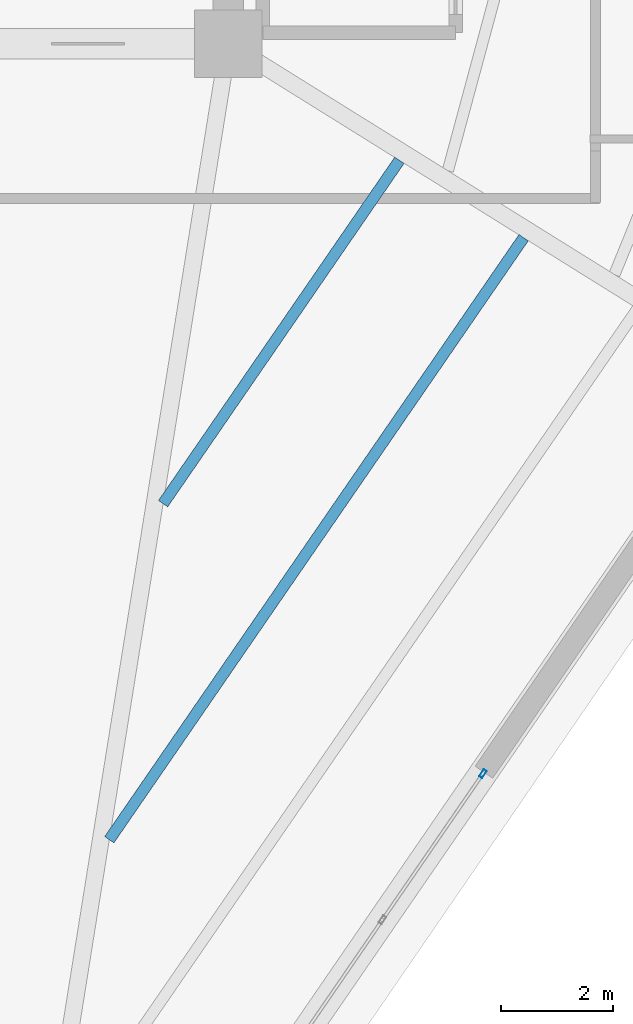
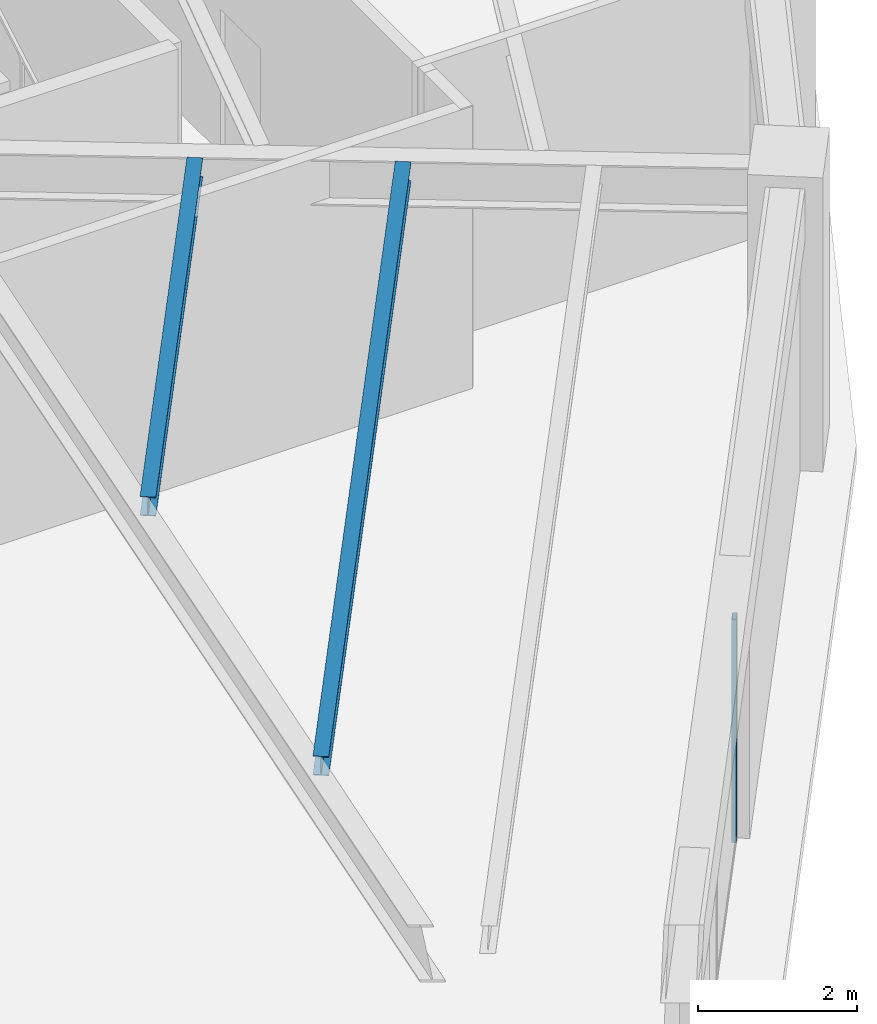
# One storey, part 12 of 35: 2 beams, 1 member, 1 element without a shape of its own.
"""IFC4 building model written with IfcOpenShell, lengths in metres."""

from ifc_helpers import new_model, si_unit, direction, frame, origin, origin_2d, place, context, subcontext, project, spatial, hollow_rectangle, i_section, extrude, source, transform, mapped, material, layer, layer_set, material_profile, profile_set, type_object, element, aggregate, save


model = new_model("IFC4")

# Units and contexts
model_context = context("Model", 3, precision=1e-05, world=origin(), true_north=direction((0.0, 1.0)))
body_context = subcontext(model_context, "Body", "Model", "MODEL_VIEW")
ifc_project = project(units=[si_unit("LENGTHUNIT", "METRE"), si_unit("AREAUNIT", "SQUARE_METRE"), si_unit("VOLUMEUNIT", "CUBIC_METRE"), si_unit("PLANEANGLEUNIT", "RADIAN"), si_unit("MASSUNIT", "GRAM", prefix="KILO")], contexts=[model_context])

# Site, building, storey
site_placement = place(None, origin())
site = spatial("IfcSite", under=ifc_project, at=site_placement, CompositionType="ELEMENT")
building_placement = place(site_placement, origin())
building = spatial("IfcBuilding", under=site, at=building_placement, Name="Liaohun Quay Tower", CompositionType="ELEMENT")
storey_placement = place(building_placement, frame((0.0, 0.0, 282.0)))
storey = spatial("IfcBuildingStorey", under=building, at=storey_placement, Name="L73", CompositionType="ELEMENT", Elevation=282.0)

# Beams
ifc_material_1 = material(Name="Steel Q355D", Category="steel")
ifc_material_profile_1 = material_profile(ifc_material_1, i_section(OverallWidth=0.199951171875, OverallDepth=0.2939453125, WebThickness=0.008056640625, FlangeThickness=0.011962890625, at=origin_2d()), Name="HM294x200x8x12")
ifc_profile_set_1 = profile_set([ifc_material_profile_1], Name="Steel Q355D")
beam_type = type_object("IfcBeamType", Name="BM-SEC-J4", PredefinedType="JOIST", material=ifc_profile_set_1)
shared_shape_1 = source(origin(), body_context, "Body", "SweptSolid", [
    extrude(i_section(OverallWidth=0.199951171875, OverallDepth=0.2939453125, WebThickness=0.008056640625, FlangeThickness=0.011962890625, at=origin_2d()), origin(), (0.0, 0.0, 1.0), 7.44140625),
])
beam_1_placement = place(storey_placement, frame((72.056884765625, 44.4189453125, 4.173095703125), z_axis=(-0.566957601742, -0.823746974396, 0.0), x_axis=(0.823746974396, -0.566957601742, 0.0)))
element("IfcBeam", 1, at=beam_1_placement, inside=storey, type_object=beam_type, Name="L73 Wing Secondary Floor Joist SJ-12", PredefinedType="JOIST", context=body_context, shape_type="MappedRepresentation", body=[
    mapped(shared_shape_1, transform((0.0, 0.0, 0.0), x_axis=(1.0, 0.0, 0.0), y_axis=(0.0, 1.0, 0.0), z_axis=(0.0, 0.0, 1.0), scale=1.0)),
])
shared_shape_2 = source(origin(), body_context, "Body", "SweptSolid", [
    extrude(i_section(OverallWidth=0.199951171875, OverallDepth=0.2939453125, WebThickness=0.008056640625, FlangeThickness=0.011962890625, at=origin_2d()), origin(), (0.0, 0.0, 1.0), 13.046630859375),
])
beam_2_placement = place(storey_placement, frame((74.27490234375, 43.037109375, 4.173095703125), z_axis=(-0.566963955692, -0.823742601148, 0.0), x_axis=(0.823742601148, -0.566963955692, 0.0)))
element("IfcBeam", 2, at=beam_2_placement, inside=storey, type_object=beam_type, Name="L73 Wing Secondary Floor Joist SJ-13", PredefinedType="JOIST", context=body_context, shape_type="MappedRepresentation", body=[
    mapped(shared_shape_2, transform((0.0, 0.0, 0.0), x_axis=(1.0, 0.0, 0.0), y_axis=(0.0, 1.0, 0.0), z_axis=(0.0, 0.0, 1.0), scale=1.0)),
])

# Curtain wall, member
ifc_material_2 = material(Name="Upper sky-lobby belvedere curtain wall")
ifc_layer = layer(ifc_material_2, 0.199951171875, Name="Upper sky-lobby belvedere curtain wall")
ifc_layer_set = layer_set([ifc_layer], Name="Upper sky-lobby belvedere curtain wall")
curtain_wall_type = type_object("IfcCurtainWallType", Name="CW-SKY-L73", PredefinedType="NOTDEFINED", material=ifc_layer_set)
curtain_wall_placement = place(storey_placement, origin())
curtain_wall = element("IfcCurtainWall", 3, at=curtain_wall_placement, inside=storey, type_object=curtain_wall_type, Name="L73 Panoramic Belvedere Curtain Wall 01", PredefinedType="NOTDEFINED")
ifc_material_3 = material(Name="Anodised aluminium 6063-T6", Category="aluminium")
ifc_material_profile_2 = material_profile(ifc_material_3, hollow_rectangle(XDim=0.06494140625, YDim=0.14990234375, WallThickness=0.00390625, at=origin_2d()), Name="RHS150x65x4")
ifc_profile_set_2 = profile_set([ifc_material_profile_2], Name="Anodised aluminium 6063-T6")
member_type = type_object("IfcMemberType", Name="MEM-CWM-SKY", PredefinedType="MULLION", material=ifc_profile_set_2)
shared_shape_3 = source(origin(), body_context, "Body", "SweptSolid", [
    extrude(hollow_rectangle(XDim=0.06494140625, YDim=0.14990234375, WallThickness=0.00390625, at=origin_2d()), origin(), (0.0, 0.0, 1.0), 3.419921875),
])
member_placement = place(storey_placement, frame((73.547607421875, 33.46826171875, 0.0), z_axis=(0.0, 0.0, 1.0), x_axis=(-0.824105748577, 0.566435976225, 0.0)))
member = element("IfcMember", 4, at=member_placement, type_object=member_type, Name="CW5 mullion 3", PredefinedType="MULLION", context=body_context, shape_type="MappedRepresentation", body=[
    mapped(shared_shape_3, transform((0.0, 0.0, 0.0), x_axis=(1.0, 0.0, 0.0), y_axis=(0.0, 1.0, 0.0), z_axis=(0.0, 0.0, 1.0), scale=1.0)),
])
aggregate(curtain_wall, [member])

save(model, "model.ifc")
